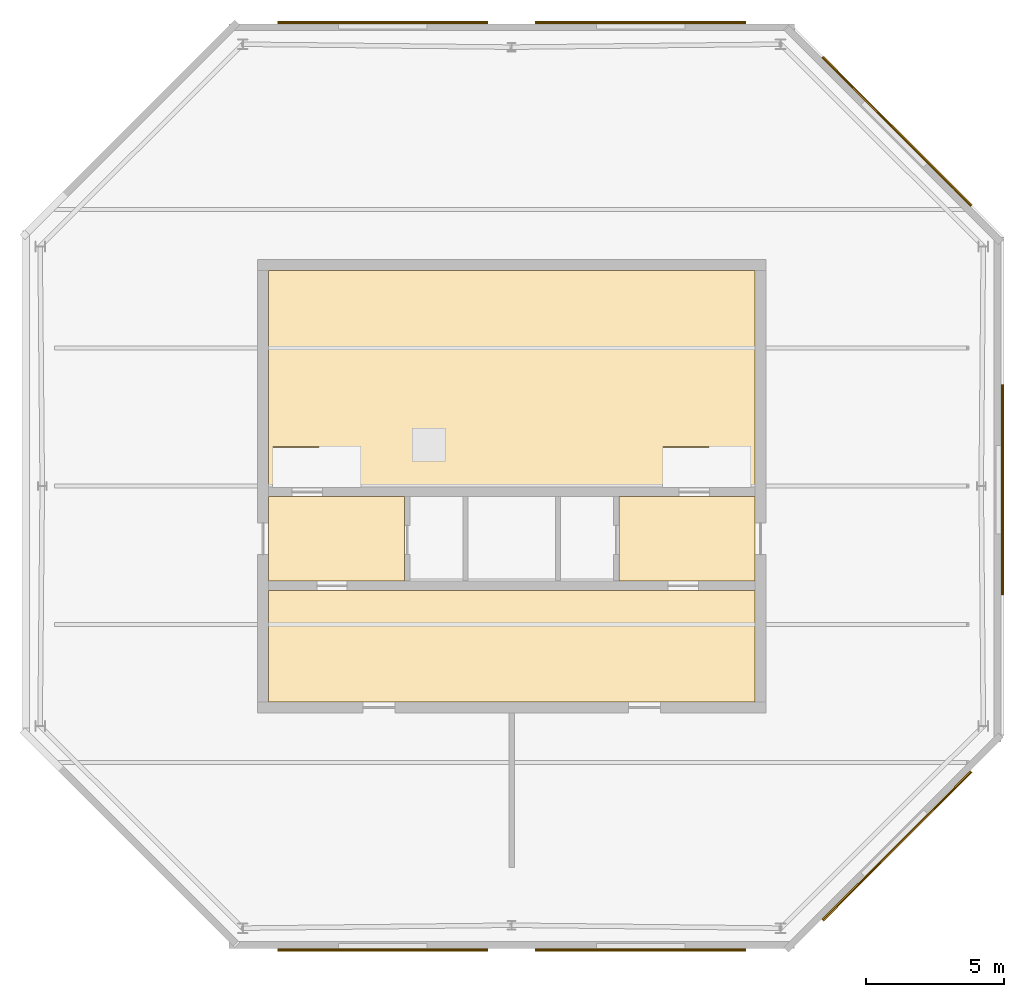
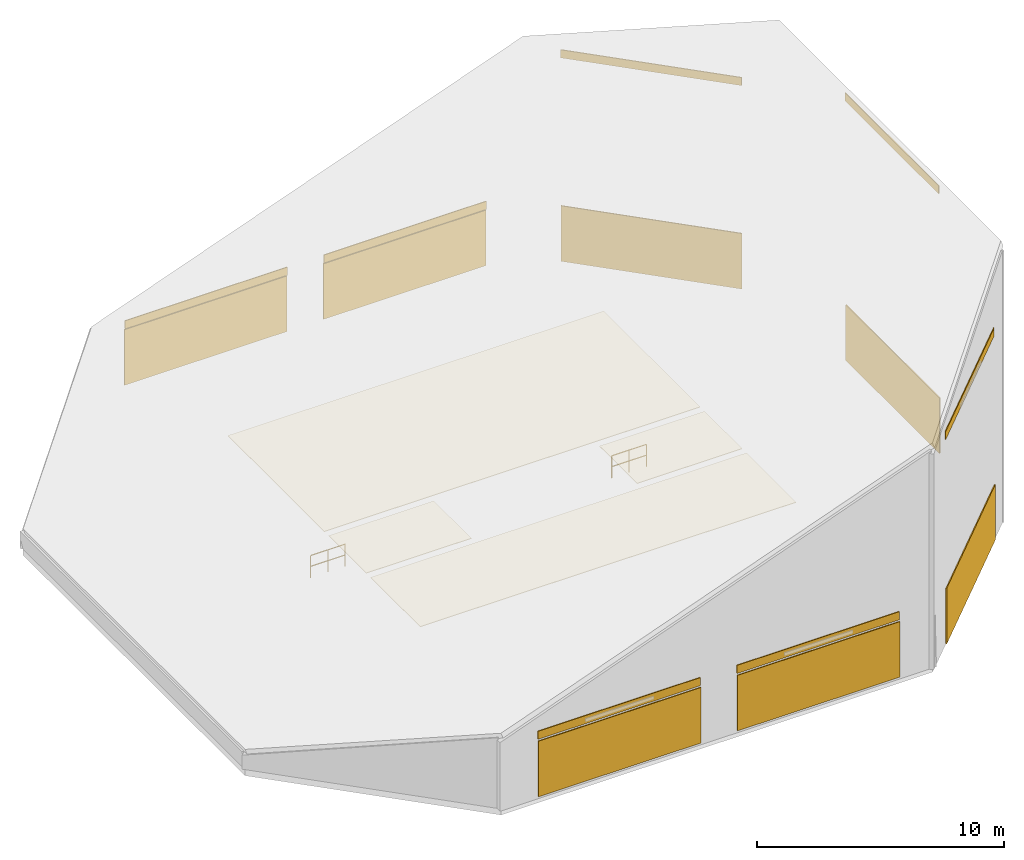
# One storey, part 3 of 3: 11 coverings, 7 shading devices, 2 railings.
"""IFC4 building model written with IfcOpenShell, lengths in metres."""

import ifcopenshell
import ifcopenshell.guid

model = None  # the IFC model being written
_history = None  # IfcOwnerHistory: only IFC2X3 demands one
_inside = {}  # id of a spatial element -> (the spatial element, [elements in it])
_under = {}  # id of a project, library or spatial element -> (it, [spatial elements below it])
_declared = {}  # id of a project -> (the project, [libraries it declares])
_typed = {}  # id of a type object -> (the type object, [elements of that type])
_made_of = {}  # id of a material, layer set ... -> (it, [elements and type objects made of it])


def new_model(schema):
    """Start an empty IFC model of exactly this schema.

    Asked for "IFC4X3", IfcOpenShell would pick the latest addendum, in which some entities
    have other attributes; the version numbers below select the first issue.
    IFC2X3 requires an IfcOwnerHistory on every rooted entity: one is made here for all.
    """
    global model, _history
    if schema == "IFC4X3":
        model = ifcopenshell.file(schema_version=(4, 3, 0, 0))
    else:
        model = ifcopenshell.file(schema=schema)
    _inside.clear()
    _under.clear()
    _declared.clear()
    _typed.clear()
    _made_of.clear()
    _history = None
    if model.schema == "IFC2X3":
        org = make("IfcOrganization", Name="unknown")
        user = make(
            "IfcPersonAndOrganization",
            ThePerson=make("IfcPerson", FamilyName="unknown"),
            TheOrganization=org,
        )
        app = make(
            "IfcApplication",
            ApplicationDeveloper=org,
            Version="unknown",
            ApplicationFullName="unknown",
            ApplicationIdentifier="unknown",
        )
        _history = make(
            "IfcOwnerHistory",
            OwningUser=user,
            OwningApplication=app,
            ChangeAction="ADDED",
            CreationDate=0,
        )
    return model


def make(cls, **values):
    """One entity of the class cls with the attributes given. An attribute that is None is left unset."""
    return model.create_entity(
        cls, **{name: value for name, value in values.items() if value is not None}
    )


def rooted(cls, **values):
    """An entity with a GlobalId (a new one), such as an element, a storey or a relation."""
    return make(cls, GlobalId=ifcopenshell.guid.new(), OwnerHistory=_history, **values)


def si_unit(unit_type, name, prefix=None):
    """IfcSIUnit, for example si_unit("LENGTHUNIT", "METRE", prefix="MILLI")."""
    return make("IfcSIUnit", UnitType=unit_type, Prefix=prefix, Name=name)


def assignment(units):
    """IfcUnitAssignment: the units of a project."""
    return None if units is None else make("IfcUnitAssignment", Units=units)


def point(xyz):
    """IfcCartesianPoint."""
    return None if xyz is None else make("IfcCartesianPoint", Coordinates=xyz)


def direction(xyz):
    """IfcDirection."""
    return None if xyz is None else make("IfcDirection", DirectionRatios=xyz)


def frame(location, z_axis=None, x_axis=None):
    """IfcAxis2Placement3D, a coordinate frame: its origin and axes. An axis left out is left unset."""
    return make(
        "IfcAxis2Placement3D",
        Location=point(location),
        Axis=direction(z_axis),
        RefDirection=direction(x_axis),
    )


def frame_2d(location, x_axis=None):
    """IfcAxis2Placement2D, a coordinate frame in the plane: its origin and x axis."""
    return make(
        "IfcAxis2Placement2D", Location=point(location), RefDirection=direction(x_axis)
    )


def origin():
    """The frame at (0, 0, 0) with its axes left unset."""
    return frame((0.0, 0.0, 0.0))


def origin_2d():
    """The frame at (0, 0) in the plane with its x axis left unset."""
    return frame_2d((0.0, 0.0))


def place(relative_to, where):
    """IfcLocalPlacement: puts the frame where relative to a parent placement (None: the world)."""
    return make(
        "IfcLocalPlacement", PlacementRelTo=relative_to, RelativePlacement=where
    )


def context(
    kind, dimensions, precision=None, world=None, true_north=None, identifier=None
):
    """IfcGeometricRepresentationContext, for example the 3D "Model" context."""
    return make(
        "IfcGeometricRepresentationContext",
        ContextIdentifier=identifier,
        ContextType=kind,
        CoordinateSpaceDimension=dimensions,
        Precision=precision,
        WorldCoordinateSystem=world,
        TrueNorth=true_north,
    )


def subcontext(parent, identifier, kind, view, scale=None):
    """IfcGeometricRepresentationSubContext, for example "Body" below "Model"."""
    return make(
        "IfcGeometricRepresentationSubContext",
        ContextIdentifier=identifier,
        ContextType=kind,
        ParentContext=parent,
        TargetScale=scale,
        TargetView=view,
    )


def project(units=None, contexts=None):
    """IfcProject with its units and contexts."""
    return rooted(
        "IfcProject",
        Name="project",
        RepresentationContexts=contexts,
        UnitsInContext=assignment(units),
    )


def spatial(cls, under=None, at=None, **own):
    """A site, building, storey or space (cls), placed at a placement, below another one or the project."""
    s = rooted(cls, ObjectPlacement=at, **own)
    if under is not None:
        _under.setdefault(under.id(), (under, []))[1].append(s)
    return s


def polyline(points):
    """IfcPolyline through the points."""
    return make("IfcPolyline", Points=[point(p) for p in points])


def profile(cls, at=None, kind="AREA", **sizes):
    """A parametric profile (cls). Its sizes go by their IFC names, for example OverallWidth=200.0."""
    return make(cls, ProfileType=kind, Position=at, **sizes)


def rectangle(**sizes):
    """IfcRectangleProfileDef."""
    return profile("IfcRectangleProfileDef", **sizes)


def circle(**sizes):
    """IfcCircleProfileDef."""
    return profile("IfcCircleProfileDef", **sizes)


def outline(outer, holes=None, kind="AREA"):
    """IfcArbitraryClosedProfileDef: a profile drawn as a closed curve; with holes, ...WithVoids."""
    if holes is None:
        return make("IfcArbitraryClosedProfileDef", ProfileType=kind, OuterCurve=outer)
    return make(
        "IfcArbitraryProfileDefWithVoids",
        ProfileType=kind,
        OuterCurve=outer,
        InnerCurves=holes,
    )


def extrude(swept, where, along, depth):
    """IfcExtrudedAreaSolid: the profile swept, set in the frame where, extruded along a direction by depth."""
    return make(
        "IfcExtrudedAreaSolid",
        SweptArea=swept,
        Position=where,
        ExtrudedDirection=direction(along),
        Depth=depth,
    )


def shape(context_of_items, identifier, shape_type, items):
    """IfcShapeRepresentation: the items that make up one representation, for example the "Body"."""
    return make(
        "IfcShapeRepresentation",
        ContextOfItems=context_of_items,
        RepresentationIdentifier=identifier,
        RepresentationType=shape_type,
        Items=items,
    )


def material(Name=None, Category=None):
    """IfcMaterial."""
    return make("IfcMaterial", Name=Name, Category=Category)


def layer(
    of_material, thickness, ventilated=None, Name=None, Category=None, Priority=None
):
    """IfcMaterialLayer: one layer of a wall or slab, of a material (None: an air gap)."""
    return make(
        "IfcMaterialLayer",
        Material=of_material,
        LayerThickness=thickness,
        IsVentilated=ventilated,
        Name=Name,
        Category=Category,
        Priority=Priority,
    )


def layer_set(layers, Name=None):
    """IfcMaterialLayerSet."""
    return make("IfcMaterialLayerSet", MaterialLayers=layers, LayerSetName=Name)


def made_of(thing, what):
    """Note that an element or type object is made of a material, layer set ...; save() writes the relation."""
    if what is not None:
        _made_of.setdefault(what.id(), (what, []))[1].append(thing)
    return thing


def type_object(cls, material=None, **own):
    """A type object (cls), such as IfcWallType, which elements share."""
    return made_of(rooted(cls, **own), material)


def element(
    cls,
    number,
    at=None,
    inside=None,
    cuts=None,
    type_object=None,
    material=None,
    context=None,
    identifier="Body",
    shape_type=None,
    held_by="IfcProductDefinitionShape",
    body=None,
    shapes=None,
    **own,
):
    """One element of the class cls, such as IfcWall. Its Tag is "e" and its number.

    at: its placement. inside: the storey or other place that contains it. cuts: it is an
    opening in that element (IfcRelVoidsElement). A single representation is given by context,
    identifier, shape_type and body (its items); several are given by shapes. held_by: the class
    of the entity that holds the representations. save() writes the other relations.
    """
    e = rooted(cls, Tag="e%d" % number, ObjectPlacement=at, **own)
    if body is not None:
        shapes = [shape(context, identifier, shape_type, body)]
    if shapes is not None:
        e.Representation = make(held_by, Representations=shapes)
    if inside is not None:
        _inside.setdefault(inside.id(), (inside, []))[1].append(e)
    if cuts is not None:
        rooted(
            "IfcRelVoidsElement", RelatingBuildingElement=cuts, RelatedOpeningElement=e
        )
    if type_object is not None:
        _typed.setdefault(type_object.id(), (type_object, []))[1].append(e)
    return made_of(e, material)


def aggregate(whole, parts):
    """IfcRelAggregates: a whole, such as a stair, and the parts it consists of."""
    return rooted("IfcRelAggregates", RelatingObject=whole, RelatedObjects=parts)


def save(model, path):
    """Write the relations noted so far, then the file.

    IfcRelAggregates (storeys below a building ...), IfcRelContainedInSpatialStructure (elements
    in a storey), IfcRelDefinesByType, IfcRelAssociatesMaterial and IfcRelDeclares: one each for
    every whole, place, type object, material and project.
    """
    for whole, parts in _under.values():
        aggregate(whole, parts)
    for where, things in _inside.values():
        rooted(
            "IfcRelContainedInSpatialStructure",
            RelatedElements=things,
            RelatingStructure=where,
        )
    for kind, things in _typed.values():
        rooted("IfcRelDefinesByType", RelatedObjects=things, RelatingType=kind)
    for what, things in _made_of.values():
        rooted("IfcRelAssociatesMaterial", RelatedObjects=things, RelatingMaterial=what)
    for by, libraries in _declared.values():
        rooted("IfcRelDeclares", RelatingContext=by, RelatedDefinitions=libraries)
    model.write(path)


model = new_model("IFC4")

# Units and contexts
model_context = context("Model", 3, precision=1e-05, world=origin(), true_north=direction((0.0, 1.0)))
body_context = subcontext(model_context, "Body", "Model", "MODEL_VIEW")
ifc_project = project(units=[si_unit("LENGTHUNIT", "METRE"), si_unit("AREAUNIT", "SQUARE_METRE"), si_unit("VOLUMEUNIT", "CUBIC_METRE"), si_unit("PLANEANGLEUNIT", "RADIAN"), si_unit("MASSUNIT", "GRAM", prefix="KILO")], contexts=[model_context])

# Site, building, storey
site_placement = place(None, origin())
site = spatial("IfcSite", under=ifc_project, at=site_placement, CompositionType="ELEMENT")
building_placement = place(site_placement, origin())
building = spatial("IfcBuilding", under=site, at=building_placement, Name="Caelvoria Tower", CompositionType="ELEMENT")
storey_placement = place(building_placement, frame((0.0, 0.0, 290.199951171875)))
storey = spatial("IfcBuildingStorey", under=building, at=storey_placement, Name="C2", CompositionType="ELEMENT", Elevation=290.199951171875)

# Shading devices
ifc_material_1 = material(Name="Perforated Architectural Bronze Alloy Panel", Category="bronze")
ifc_layer_1 = layer(ifc_material_1, 0.050048828125, Name="Perforated Architectural Bronze Alloy Panel")
ifc_layer_set_1 = layer_set([ifc_layer_1], Name="Crown Perforated Bronze Facade Screen SCREEN - Perforated Architectural Bronze Alloy Panel")
shading_device_type = type_object("IfcShadingDeviceType", Name="Crown Perforated Bronze Facade Screen SCREEN", PredefinedType="USERDEFINED", material=ifc_layer_set_1)
for number, where, z_axis, x_axis, name in (
    (1, (41.340087890625, 15.205078125, 0.16015625), (0.0, 0.0, 1.0), (1.0, 0.0, 0.0), "Perforated Bronze Solar Screen C2-E0-00"),
    (2, (50.659912109375, 15.205078125, 0.16015625), (0.0, 0.0, 1.0), (1.0, 0.0, 0.0), "Perforated Bronze Solar Screen C2-E0-01"),
    (3, (59.949462890625, 18.973876953125, 0.16015625), (0.0, 0.0, 1.0), (0.707106781187, 0.707106781187, 0.0), "Perforated Bronze Solar Screen C2-E1-00"),
    (4, (63.77001953125, 31.875, 0.16015625), (0.0, 0.0, 1.0), (0.0, 1.0, 0.0), "Perforated Bronze Solar Screen C2-E2-00"),
    (5, (59.949462890625, 44.849609375, 0.16015625), (0.0, 0.0, 1.0), (-0.707106781187, 0.707106781187, 0.0), "Perforated Bronze Solar Screen C2-E3-00"),
    (6, (50.659912109375, 48.794921875, 0.16015625), (0.0, 0.0, 1.0), (-1.0, 0.0, 0.0), "Perforated Bronze Solar Screen C2-E4-00"),
    (7, (41.340087890625, 48.794921875, 0.16015625), (0.0, 0.0, 1.0), (-1.0, 0.0, 0.0), "Perforated Bronze Solar Screen C2-E4-01"),
):
    element("IfcShadingDevice", number, at=place(storey_placement, frame(where, z_axis=z_axis, x_axis=x_axis)), inside=storey, type_object=shading_device_type, Name=name, ObjectType="SCREEN", PredefinedType="USERDEFINED", context=body_context, shape_type="SweptSolid", body=[
        extrude(rectangle(XDim=7.60009765625, YDim=0.044921875, at=origin_2d()), origin(), (0.0, 0.0, 1.0), 2.75),
    ])

# Coverings
ifc_material_2 = material(Name="Acoustic Mineral Fibre Tile", Category="gypsum")
ifc_layer_2 = layer(ifc_material_2, 0.02490234375, Name="Acoustic Mineral Fibre Tile")
ifc_layer_set_2 = layer_set([ifc_layer_2], Name="Mineral-Fibre Acoustic Suspended Ceiling 25 - Acoustic Mineral Fibre Tile")
covering_type_1 = type_object("IfcCoveringType", Name="Mineral-Fibre Acoustic Suspended Ceiling 25", PredefinedType="CEILING", material=ifc_layer_set_2)
covering_1_placement = place(storey_placement, frame((0.0, 0.0, 3.2099609375)))
element("IfcCovering", 8, at=covering_1_placement, inside=storey, type_object=covering_type_1, Name="Suspended Acoustic Ceiling C2-CR1", PredefinedType="CEILING", context=body_context, shape_type="SweptSolid", body=[
    extrude(outline(polyline([(37.199951171875, 24.199951171875), (54.800048828125, 24.199951171875), (54.800048828125, 28.22509765625), (37.199951171875, 28.22509765625), (37.199951171875, 24.199951171875)])), origin(), (0.0, 0.0, 1.0), 0.025146484375),
])
covering_2_placement = place(storey_placement, frame((0.0, 0.0, 3.2099609375)))
element("IfcCovering", 9, at=covering_2_placement, inside=storey, type_object=covering_type_1, Name="Suspended Acoustic Ceiling C2-N", PredefinedType="CEILING", context=body_context, shape_type="SweptSolid", body=[
    extrude(outline(polyline([(37.199951171875, 31.97509765625), (54.800048828125, 31.97509765625), (54.800048828125, 39.800048828125), (37.199951171875, 39.800048828125), (37.199951171875, 31.97509765625)])), origin(), (0.0, 0.0, 1.0), 0.025146484375),
])
covering_3_placement = place(storey_placement, frame((0.0, 0.0, 3.2099609375)))
element("IfcCovering", 10, at=covering_3_placement, inside=storey, type_object=covering_type_1, Name="Suspended Acoustic Ceiling C2-FF1", PredefinedType="CEILING", context=body_context, shape_type="SweptSolid", body=[
    extrude(outline(polyline([(37.199951171875, 28.574951171875), (42.1201171875, 28.574951171875), (42.1201171875, 31.625), (37.199951171875, 31.625), (37.199951171875, 28.574951171875)])), origin(), (0.0, 0.0, 1.0), 0.025146484375),
])
covering_4_placement = place(storey_placement, frame((0.0, 0.0, 3.2099609375)))
element("IfcCovering", 11, at=covering_4_placement, inside=storey, type_object=covering_type_1, Name="Suspended Acoustic Ceiling C2-FF2", PredefinedType="CEILING", context=body_context, shape_type="SweptSolid", body=[
    extrude(outline(polyline([(49.8798828125, 28.574951171875), (54.800048828125, 28.574951171875), (54.800048828125, 31.625), (49.8798828125, 31.625), (49.8798828125, 28.574951171875)])), origin(), (0.0, 0.0, 1.0), 0.025146484375),
])
ifc_material_3 = material(Name="Perforated Architectural Bronze Cladding Screen", Category="bronze")
ifc_layer_3 = layer(ifc_material_3, 0.0400390625, Name="Perforated Architectural Bronze Cladding Screen")
ifc_layer_set_3 = layer_set([ifc_layer_3], Name="Perforated Bronze Louvre Cladding Band 40 - Perforated Architectural Bronze Cladding Screen")
covering_type_2 = type_object("IfcCoveringType", Name="Perforated Bronze Louvre Cladding Band 40", PredefinedType="CLADDING", material=ifc_layer_set_3)
for number, where, z_axis, x_axis, name in (
    (12, (41.340087890625, 15.248046875, 2.974609375), (0.0, 0.0, 1.0), (1.0, 0.0, 0.0), "Perforated Bronze Screen Band C2-E0-00"),
    (13, (50.659912109375, 15.248046875, 2.974609375), (0.0, 0.0, 1.0), (1.0, 0.0, 0.0), "Perforated Bronze Screen Band C2-E0-01"),
    (14, (59.919189453125, 19.004150390625, 10.259521484375), (0.0, 0.0, 1.0), (0.707106781187, 0.707106781187, 0.0), "Perforated Bronze Screen Band C2-E1-00"),
    (15, (63.72705078125, 31.875, 13.02490234375), (0.0, 0.0, 1.0), (0.0, 1.0, 0.0), "Perforated Bronze Screen Band C2-E2-00"),
    (16, (59.919189453125, 44.819091796875, 10.259521484375), (0.0, 0.0, 1.0), (-0.707106781187, 0.707106781187, 0.0), "Perforated Bronze Screen Band C2-E3-00"),
    (17, (50.659912109375, 48.751953125, 2.974609375), (0.0, 0.0, 1.0), (-1.0, 0.0, 0.0), "Perforated Bronze Screen Band C2-E4-00"),
    (18, (41.340087890625, 48.751953125, 2.974609375), (0.0, 0.0, 1.0), (-1.0, 0.0, 0.0), "Perforated Bronze Screen Band C2-E4-01"),
):
    element("IfcCovering", number, at=place(storey_placement, frame(where, z_axis=z_axis, x_axis=x_axis)), inside=storey, type_object=covering_type_2, Name=name, PredefinedType="CLADDING", context=body_context, shape_type="SweptSolid", body=[
        extrude(rectangle(XDim=7.60009765625, YDim=0.0400390625, at=origin_2d()), origin(), (0.0, 0.0, 1.0), 0.39990234375),
    ])

# Railings
ifc_material_4 = material(Name="Brushed Stainless Steel Guardrail", Category="steel")
railing_type = type_object("IfcRailingType", Name="Stair Well and Ramp Guardrail 1120", PredefinedType="GUARDRAIL", material=ifc_material_4)
for number, where, name in (
    (19, (37.389892578125, 33.419921875, 0.0), "Top Stair Well Guard C2 ST1"),
    (20, (51.489990234375, 33.419921875, 0.0), "Top Stair Well Guard C2 ST2"),
):
    element("IfcRailing", number, at=place(storey_placement, frame(where)), inside=storey, type_object=railing_type, Name=name, PredefinedType="GUARDRAIL", context=body_context, shape_type="SweptSolid", body=[
        extrude(circle(Radius=0.02392578125, at=origin_2d()), frame((0.0, 0.0, 1.09619140625), z_axis=(1.0, 0.0, 0.0), x_axis=(0.0, 1.0, 0.0)), (0.0, 0.0, 1.0), 1.6201171875),
        extrude(circle(Radius=0.02392578125, at=origin_2d()), frame((0.0, 0.0, 0.56005859375), z_axis=(1.0, 0.0, 0.0), x_axis=(0.0, 1.0, 0.0)), (0.0, 0.0, 1.0), 1.6201171875),
        extrude(circle(Radius=0.02099609375, at=origin_2d()), origin(), (0.0, 0.0, 1.0), 1.072021484375),
        extrude(circle(Radius=0.02099609375, at=origin_2d()), frame((0.81005859375, 0.0, 0.0)), (0.0, 0.0, 1.0), 1.072021484375),
        extrude(circle(Radius=0.02099609375, at=origin_2d()), frame((1.6201171875, 0.0, 0.0)), (0.0, 0.0, 1.0), 1.072021484375),
    ])

save(model, "model.ifc")
